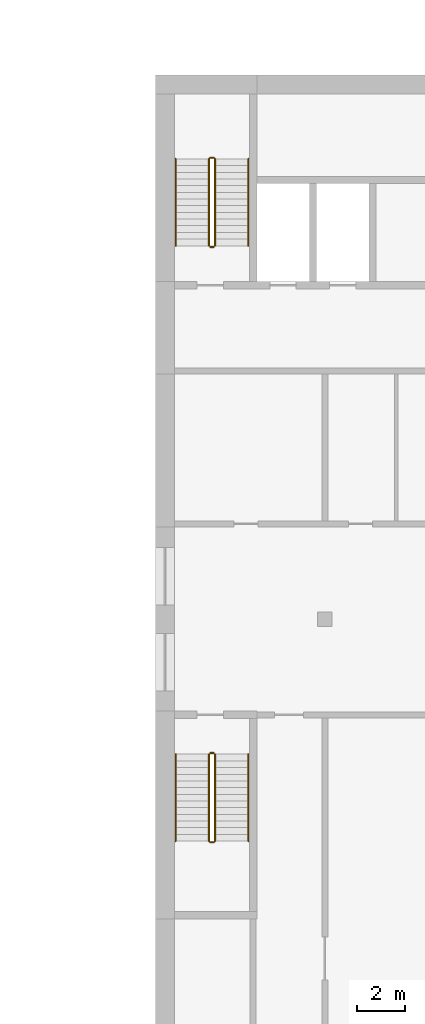
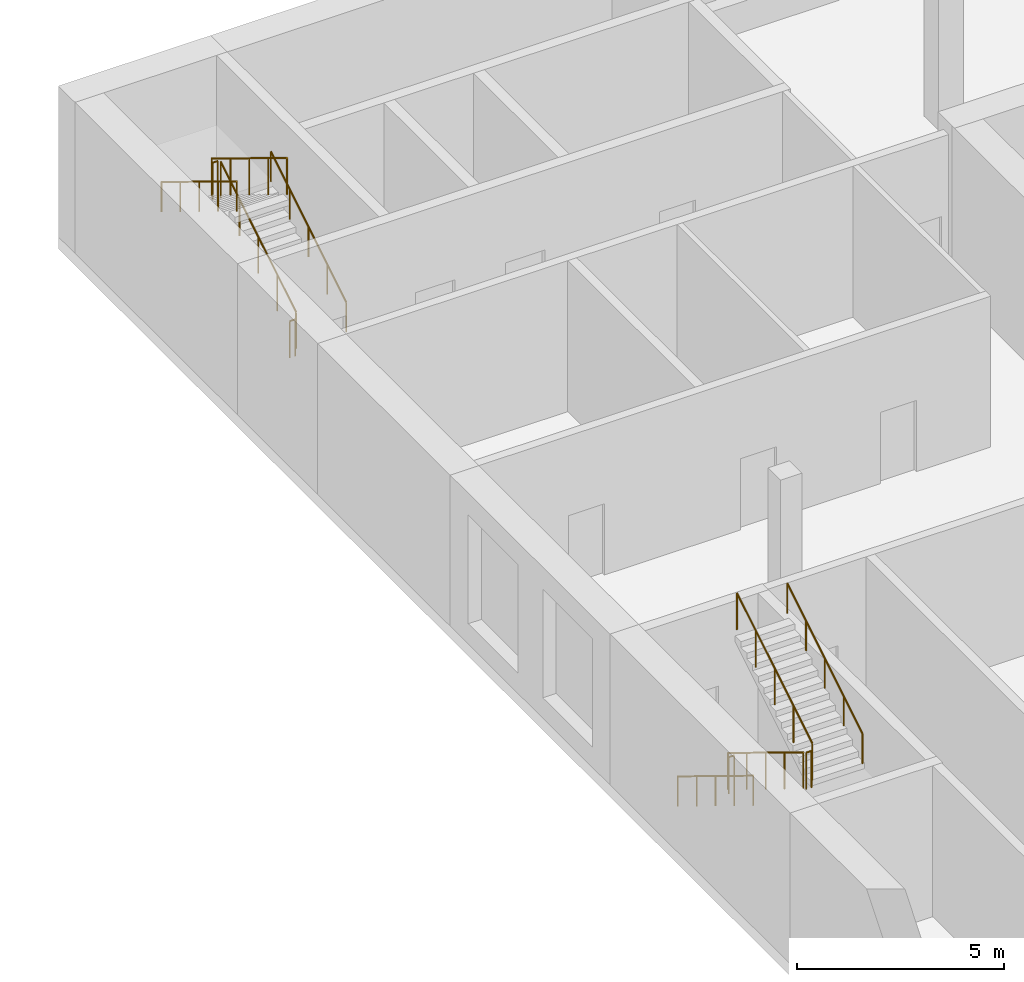
# One storey, part 15 of 23: 12 railings.
"""IFC4 building model written with IfcOpenShell, lengths in metres."""

import ifcopenshell
import ifcopenshell.guid

model = None  # the IFC model being written
_history = None  # IfcOwnerHistory: only IFC2X3 demands one
_inside = {}  # id of a spatial element -> (the spatial element, [elements in it])
_under = {}  # id of a project, library or spatial element -> (it, [spatial elements below it])
_declared = {}  # id of a project -> (the project, [libraries it declares])
_typed = {}  # id of a type object -> (the type object, [elements of that type])
_made_of = {}  # id of a material, layer set ... -> (it, [elements and type objects made of it])


def new_model(schema):
    """Start an empty IFC model of exactly this schema.

    Asked for "IFC4X3", IfcOpenShell would pick the latest addendum, in which some entities
    have other attributes; the version numbers below select the first issue.
    IFC2X3 requires an IfcOwnerHistory on every rooted entity: one is made here for all.
    """
    global model, _history
    if schema == "IFC4X3":
        model = ifcopenshell.file(schema_version=(4, 3, 0, 0))
    else:
        model = ifcopenshell.file(schema=schema)
    _inside.clear()
    _under.clear()
    _declared.clear()
    _typed.clear()
    _made_of.clear()
    _history = None
    if model.schema == "IFC2X3":
        org = make("IfcOrganization", Name="unknown")
        user = make(
            "IfcPersonAndOrganization",
            ThePerson=make("IfcPerson", FamilyName="unknown"),
            TheOrganization=org,
        )
        app = make(
            "IfcApplication",
            ApplicationDeveloper=org,
            Version="unknown",
            ApplicationFullName="unknown",
            ApplicationIdentifier="unknown",
        )
        _history = make(
            "IfcOwnerHistory",
            OwningUser=user,
            OwningApplication=app,
            ChangeAction="ADDED",
            CreationDate=0,
        )
    return model


def make(cls, **values):
    """One entity of the class cls with the attributes given. An attribute that is None is left unset."""
    return model.create_entity(
        cls, **{name: value for name, value in values.items() if value is not None}
    )


def rooted(cls, **values):
    """An entity with a GlobalId (a new one), such as an element, a storey or a relation."""
    return make(cls, GlobalId=ifcopenshell.guid.new(), OwnerHistory=_history, **values)


def si_unit(unit_type, name, prefix=None):
    """IfcSIUnit, for example si_unit("LENGTHUNIT", "METRE", prefix="MILLI")."""
    return make("IfcSIUnit", UnitType=unit_type, Prefix=prefix, Name=name)


def assignment(units):
    """IfcUnitAssignment: the units of a project."""
    return None if units is None else make("IfcUnitAssignment", Units=units)


def point(xyz):
    """IfcCartesianPoint."""
    return None if xyz is None else make("IfcCartesianPoint", Coordinates=xyz)


def direction(xyz):
    """IfcDirection."""
    return None if xyz is None else make("IfcDirection", DirectionRatios=xyz)


def frame(location, z_axis=None, x_axis=None):
    """IfcAxis2Placement3D, a coordinate frame: its origin and axes. An axis left out is left unset."""
    return make(
        "IfcAxis2Placement3D",
        Location=point(location),
        Axis=direction(z_axis),
        RefDirection=direction(x_axis),
    )


def frame_2d(location, x_axis=None):
    """IfcAxis2Placement2D, a coordinate frame in the plane: its origin and x axis."""
    return make(
        "IfcAxis2Placement2D", Location=point(location), RefDirection=direction(x_axis)
    )


def origin():
    """The frame at (0, 0, 0) with its axes left unset."""
    return frame((0.0, 0.0, 0.0))


def origin_2d():
    """The frame at (0, 0) in the plane with its x axis left unset."""
    return frame_2d((0.0, 0.0))


def place(relative_to, where):
    """IfcLocalPlacement: puts the frame where relative to a parent placement (None: the world)."""
    return make(
        "IfcLocalPlacement", PlacementRelTo=relative_to, RelativePlacement=where
    )


def context(
    kind, dimensions, precision=None, world=None, true_north=None, identifier=None
):
    """IfcGeometricRepresentationContext, for example the 3D "Model" context."""
    return make(
        "IfcGeometricRepresentationContext",
        ContextIdentifier=identifier,
        ContextType=kind,
        CoordinateSpaceDimension=dimensions,
        Precision=precision,
        WorldCoordinateSystem=world,
        TrueNorth=true_north,
    )


def subcontext(parent, identifier, kind, view, scale=None):
    """IfcGeometricRepresentationSubContext, for example "Body" below "Model"."""
    return make(
        "IfcGeometricRepresentationSubContext",
        ContextIdentifier=identifier,
        ContextType=kind,
        ParentContext=parent,
        TargetScale=scale,
        TargetView=view,
    )


def project(units=None, contexts=None):
    """IfcProject with its units and contexts."""
    return rooted(
        "IfcProject",
        Name="project",
        RepresentationContexts=contexts,
        UnitsInContext=assignment(units),
    )


def spatial(cls, under=None, at=None, **own):
    """A site, building, storey or space (cls), placed at a placement, below another one or the project."""
    s = rooted(cls, ObjectPlacement=at, **own)
    if under is not None:
        _under.setdefault(under.id(), (under, []))[1].append(s)
    return s


def profile(cls, at=None, kind="AREA", **sizes):
    """A parametric profile (cls). Its sizes go by their IFC names, for example OverallWidth=200.0."""
    return make(cls, ProfileType=kind, Position=at, **sizes)


def circle(**sizes):
    """IfcCircleProfileDef."""
    return profile("IfcCircleProfileDef", **sizes)


def extrude(swept, where, along, depth):
    """IfcExtrudedAreaSolid: the profile swept, set in the frame where, extruded along a direction by depth."""
    return make(
        "IfcExtrudedAreaSolid",
        SweptArea=swept,
        Position=where,
        ExtrudedDirection=direction(along),
        Depth=depth,
    )


def shape(context_of_items, identifier, shape_type, items):
    """IfcShapeRepresentation: the items that make up one representation, for example the "Body"."""
    return make(
        "IfcShapeRepresentation",
        ContextOfItems=context_of_items,
        RepresentationIdentifier=identifier,
        RepresentationType=shape_type,
        Items=items,
    )


def material(Name=None, Category=None):
    """IfcMaterial."""
    return make("IfcMaterial", Name=Name, Category=Category)


def made_of(thing, what):
    """Note that an element or type object is made of a material, layer set ...; save() writes the relation."""
    if what is not None:
        _made_of.setdefault(what.id(), (what, []))[1].append(thing)
    return thing


def type_object(cls, material=None, **own):
    """A type object (cls), such as IfcWallType, which elements share."""
    return made_of(rooted(cls, **own), material)


def element(
    cls,
    number,
    at=None,
    inside=None,
    cuts=None,
    type_object=None,
    material=None,
    context=None,
    identifier="Body",
    shape_type=None,
    held_by="IfcProductDefinitionShape",
    body=None,
    shapes=None,
    **own,
):
    """One element of the class cls, such as IfcWall. Its Tag is "e" and its number.

    at: its placement. inside: the storey or other place that contains it. cuts: it is an
    opening in that element (IfcRelVoidsElement). A single representation is given by context,
    identifier, shape_type and body (its items); several are given by shapes. held_by: the class
    of the entity that holds the representations. save() writes the other relations.
    """
    e = rooted(cls, Tag="e%d" % number, ObjectPlacement=at, **own)
    if body is not None:
        shapes = [shape(context, identifier, shape_type, body)]
    if shapes is not None:
        e.Representation = make(held_by, Representations=shapes)
    if inside is not None:
        _inside.setdefault(inside.id(), (inside, []))[1].append(e)
    if cuts is not None:
        rooted(
            "IfcRelVoidsElement", RelatingBuildingElement=cuts, RelatedOpeningElement=e
        )
    if type_object is not None:
        _typed.setdefault(type_object.id(), (type_object, []))[1].append(e)
    return made_of(e, material)


def aggregate(whole, parts):
    """IfcRelAggregates: a whole, such as a stair, and the parts it consists of."""
    return rooted("IfcRelAggregates", RelatingObject=whole, RelatedObjects=parts)


def save(model, path):
    """Write the relations noted so far, then the file.

    IfcRelAggregates (storeys below a building ...), IfcRelContainedInSpatialStructure (elements
    in a storey), IfcRelDefinesByType, IfcRelAssociatesMaterial and IfcRelDeclares: one each for
    every whole, place, type object, material and project.
    """
    for whole, parts in _under.values():
        aggregate(whole, parts)
    for where, things in _inside.values():
        rooted(
            "IfcRelContainedInSpatialStructure",
            RelatedElements=things,
            RelatingStructure=where,
        )
    for kind, things in _typed.values():
        rooted("IfcRelDefinesByType", RelatedObjects=things, RelatingType=kind)
    for what, things in _made_of.values():
        rooted("IfcRelAssociatesMaterial", RelatedObjects=things, RelatingMaterial=what)
    for by, libraries in _declared.values():
        rooted("IfcRelDeclares", RelatingContext=by, RelatedDefinitions=libraries)
    model.write(path)


model = new_model("IFC4")

# Units and contexts
model_context = context("Model", 3, precision=1e-05, world=origin(), true_north=direction((0.0, 1.0)))
body_context = subcontext(model_context, "Body", "Model", "MODEL_VIEW")
ifc_project = project(units=[si_unit("LENGTHUNIT", "METRE"), si_unit("AREAUNIT", "SQUARE_METRE"), si_unit("VOLUMEUNIT", "CUBIC_METRE"), si_unit("PLANEANGLEUNIT", "RADIAN"), si_unit("MASSUNIT", "GRAM", prefix="KILO")], contexts=[model_context])

# Site, building, storey
site_placement = place(None, origin())
site = spatial("IfcSite", under=ifc_project, at=site_placement, CompositionType="ELEMENT")
building_placement = place(site_placement, origin())
building = spatial("IfcBuilding", under=site, at=building_placement, Name="Kiln Ring Residences", CompositionType="ELEMENT")
storey_placement = place(building_placement, frame((0.0, 0.0, 16.10009765625)))
storey = spatial("IfcBuildingStorey", under=building, at=storey_placement, Name="L03", CompositionType="ELEMENT", Elevation=16.10009765625)

# Railings
ifc_material_1 = material(Name="Stainless steel", Category="steel")
railing_type_1 = type_object("IfcRailingType", Name="Hall stair guard 1100", PredefinedType="GUARDRAIL", material=ifc_material_1)
railing_1_placement = place(storey_placement, frame((-27.5, -119.550048828125, 0.17138671875)))
element("IfcRailing", 1, at=railing_1_placement, inside=storey, type_object=railing_type_1, Name="L03 HALL.ST1 stair guard 1", PredefinedType="GUARDRAIL", context=body_context, shape_type="SweptSolid", body=[
    extrude(circle(Radius=0.02392578125, at=origin_2d()), frame((0.0, 0.0, 1.076171875), z_axis=(0.0, 0.852865859571, 0.52213008492), x_axis=(-1.0, 0.0, 0.0)), (0.0, 0.0, 1.0), 4.26806640625),
    extrude(circle(Radius=0.02099609375, at=origin_2d()), origin(), (0.0, 0.0, 1.0), 1.052001953125),
    extrude(circle(Radius=0.02099609375, at=origin_2d()), frame((0.0, 0.91015625, 0.55712890625)), (0.0, 0.0, 1.0), 1.052001953125),
    extrude(circle(Radius=0.02099609375, at=origin_2d()), frame((0.0, 1.820068359375, 1.1142578125)), (0.0, 0.0, 1.0), 1.052001953125),
    extrude(circle(Radius=0.02099609375, at=origin_2d()), frame((0.0, 2.72998046875, 1.67138671875)), (0.0, 0.0, 1.0), 1.052001953125),
    extrude(circle(Radius=0.02099609375, at=origin_2d()), frame((0.0, 3.64013671875, 2.228515625)), (0.0, 0.0, 1.0), 1.052001953125),
])
railing_2_placement = place(storey_placement, frame((-27.550048828125, -115.860107421875, 2.39990234375)))
element("IfcRailing", 2, at=railing_2_placement, inside=storey, type_object=railing_type_1, Name="L03 HALL.ST1 stair guard 2", PredefinedType="GUARDRAIL", context=body_context, shape_type="SweptSolid", body=[
    extrude(circle(Radius=0.02392578125, at=origin_2d()), frame((0.0, 0.0, 1.076171875), z_axis=(-1.0, 0.0, 0.0), x_axis=(0.0, -1.0, 0.0)), (0.0, 0.0, 1.0), 0.14990234375),
    extrude(circle(Radius=0.02099609375, at=origin_2d()), origin(), (0.0, 0.0, 1.0), 1.052001953125),
    extrude(circle(Radius=0.02099609375, at=origin_2d()), frame((-0.14990234375, 0.0, 0.0)), (0.0, 0.0, 1.0), 1.052001953125),
])
railing_3_placement = place(storey_placement, frame((-27.75, -115.909912109375, 2.5712890625)))
element("IfcRailing", 3, at=railing_3_placement, inside=storey, type_object=railing_type_1, Name="L03 HALL.ST1 stair guard 3", PredefinedType="GUARDRAIL", context=body_context, shape_type="SweptSolid", body=[
    extrude(circle(Radius=0.02392578125, at=origin_2d()), frame((0.0, 0.0, 1.076171875), z_axis=(0.0, -0.852865859571, 0.52213008492), x_axis=(1.0, 0.0, 0.0)), (0.0, 0.0, 1.0), 4.26806640625),
    extrude(circle(Radius=0.02099609375, at=origin_2d()), origin(), (0.0, 0.0, 1.0), 1.052001953125),
    extrude(circle(Radius=0.02099609375, at=origin_2d()), frame((0.0, -0.91015625, 0.55712890625)), (0.0, 0.0, 1.0), 1.052001953125),
    extrude(circle(Radius=0.02099609375, at=origin_2d()), frame((0.0, -1.820068359375, 1.1142578125)), (0.0, 0.0, 1.0), 1.052001953125),
    extrude(circle(Radius=0.02099609375, at=origin_2d()), frame((0.0, -2.72998046875, 1.67138671875)), (0.0, 0.0, 1.0), 1.052001953125),
    extrude(circle(Radius=0.02099609375, at=origin_2d()), frame((0.0, -3.64013671875, 2.228515625)), (0.0, 0.0, 1.0), 1.052001953125),
])
railing_4_placement = place(storey_placement, frame((-27.550048828125, -119.60009765625, 0.0)))
element("IfcRailing", 4, at=railing_4_placement, inside=storey, type_object=railing_type_1, Name="L03 HALL.ST1 stair guard 4", PredefinedType="GUARDRAIL", context=body_context, shape_type="SweptSolid", body=[
    extrude(circle(Radius=0.02392578125, at=origin_2d()), frame((0.0, 0.0, 1.076171875), z_axis=(-1.0, 0.0, 0.0), x_axis=(0.0, -1.0, 0.0)), (0.0, 0.0, 1.0), 0.14990234375),
    extrude(circle(Radius=0.02099609375, at=origin_2d()), origin(), (0.0, 0.0, 1.0), 1.052001953125),
    extrude(circle(Radius=0.02099609375, at=origin_2d()), frame((-0.14990234375, 0.0, 0.0)), (0.0, 0.0, 1.0), 1.052001953125),
])
railing_5_placement = place(storey_placement, frame((-27.75, -140.85009765625, 0.17138671875)))
element("IfcRailing", 5, at=railing_5_placement, inside=storey, type_object=railing_type_1, Name="L03 HALL.ST3 stair guard 1", PredefinedType="GUARDRAIL", context=body_context, shape_type="SweptSolid", body=[
    extrude(circle(Radius=0.02392578125, at=origin_2d()), frame((0.0, 0.0, 1.076171875), z_axis=(0.0, -0.852850264322, 0.5221555579), x_axis=(1.0, 0.0, 0.0)), (0.0, 0.0, 1.0), 4.267822265625),
    extrude(circle(Radius=0.02099609375, at=origin_2d()), origin(), (0.0, 0.0, 1.0), 1.052001953125),
    extrude(circle(Radius=0.02099609375, at=origin_2d()), frame((0.0, -0.909912109375, 0.55712890625)), (0.0, 0.0, 1.0), 1.052001953125),
    extrude(circle(Radius=0.02099609375, at=origin_2d()), frame((0.0, -1.81982421875, 1.1142578125)), (0.0, 0.0, 1.0), 1.052001953125),
    extrude(circle(Radius=0.02099609375, at=origin_2d()), frame((0.0, -2.72998046875, 1.67138671875)), (0.0, 0.0, 1.0), 1.052001953125),
    extrude(circle(Radius=0.02099609375, at=origin_2d()), frame((0.0, -3.639892578125, 2.228515625)), (0.0, 0.0, 1.0), 1.052001953125),
])
railing_6_placement = place(storey_placement, frame((-27.699951171875, -144.5400390625, 2.39990234375)))
element("IfcRailing", 6, at=railing_6_placement, inside=storey, type_object=railing_type_1, Name="L03 HALL.ST3 stair guard 2", PredefinedType="GUARDRAIL", context=body_context, shape_type="SweptSolid", body=[
    extrude(circle(Radius=0.02392578125, at=origin_2d()), frame((0.0, 0.0, 1.076171875), z_axis=(1.0, 0.0, 0.0), x_axis=(0.0, 1.0, 0.0)), (0.0, 0.0, 1.0), 0.14990234375),
    extrude(circle(Radius=0.02099609375, at=origin_2d()), origin(), (0.0, 0.0, 1.0), 1.052001953125),
    extrude(circle(Radius=0.02099609375, at=origin_2d()), frame((0.14990234375, 0.0, 0.0)), (0.0, 0.0, 1.0), 1.052001953125),
])
railing_7_placement = place(storey_placement, frame((-27.5, -144.489990234375, 2.5712890625)))
element("IfcRailing", 7, at=railing_7_placement, inside=storey, type_object=railing_type_1, Name="L03 HALL.ST3 stair guard 3", PredefinedType="GUARDRAIL", context=body_context, shape_type="SweptSolid", body=[
    extrude(circle(Radius=0.02392578125, at=origin_2d()), frame((0.0, 0.0, 1.076171875), z_axis=(0.0, 0.852850264322, 0.5221555579), x_axis=(-1.0, 0.0, 0.0)), (0.0, 0.0, 1.0), 4.267822265625),
    extrude(circle(Radius=0.02099609375, at=origin_2d()), origin(), (0.0, 0.0, 1.0), 1.052001953125),
    extrude(circle(Radius=0.02099609375, at=origin_2d()), frame((0.0, 0.909912109375, 0.55712890625)), (0.0, 0.0, 1.0), 1.052001953125),
    extrude(circle(Radius=0.02099609375, at=origin_2d()), frame((0.0, 1.81982421875, 1.1142578125)), (0.0, 0.0, 1.0), 1.052001953125),
    extrude(circle(Radius=0.02099609375, at=origin_2d()), frame((0.0, 2.72998046875, 1.67138671875)), (0.0, 0.0, 1.0), 1.052001953125),
    extrude(circle(Radius=0.02099609375, at=origin_2d()), frame((0.0, 3.639892578125, 2.228515625)), (0.0, 0.0, 1.0), 1.052001953125),
])
railing_8_placement = place(storey_placement, frame((-27.699951171875, -140.800048828125, 0.0)))
element("IfcRailing", 8, at=railing_8_placement, inside=storey, type_object=railing_type_1, Name="L03 HALL.ST3 stair guard 4", PredefinedType="GUARDRAIL", context=body_context, shape_type="SweptSolid", body=[
    extrude(circle(Radius=0.02392578125, at=origin_2d()), frame((0.0, 0.0, 1.076171875), z_axis=(1.0, 0.0, 0.0), x_axis=(0.0, 1.0, 0.0)), (0.0, 0.0, 1.0), 0.14990234375),
    extrude(circle(Radius=0.02099609375, at=origin_2d()), origin(), (0.0, 0.0, 1.0), 1.052001953125),
    extrude(circle(Radius=0.02099609375, at=origin_2d()), frame((0.14990234375, 0.0, 0.0)), (0.0, 0.0, 1.0), 1.052001953125),
])
ifc_material_2 = material(Name="Stainless steel", Category="steel")
railing_type_2 = type_object("IfcRailingType", Name="Hall stair handrail 900", PredefinedType="HANDRAIL", material=ifc_material_2)
railing_9_placement = place(storey_placement, frame((-26.10009765625, -119.550048828125, 0.17138671875)))
element("IfcRailing", 9, at=railing_9_placement, inside=storey, type_object=railing_type_2, Name="L03 HALL.ST1 stair handrail 1", PredefinedType="HANDRAIL", context=body_context, shape_type="SweptSolid", body=[
    extrude(circle(Radius=0.02392578125, at=origin_2d()), frame((0.0, 0.0, 0.8759765625), z_axis=(0.0, 0.852865859571, 0.52213008492), x_axis=(-1.0, 0.0, 0.0)), (0.0, 0.0, 1.0), 4.26806640625),
    extrude(circle(Radius=0.02099609375, at=origin_2d()), origin(), (0.0, 0.0, 1.0), 0.851806640625),
    extrude(circle(Radius=0.02099609375, at=origin_2d()), frame((0.0, 0.91015625, 0.55712890625)), (0.0, 0.0, 1.0), 0.851806640625),
    extrude(circle(Radius=0.02099609375, at=origin_2d()), frame((0.0, 1.820068359375, 1.1142578125)), (0.0, 0.0, 1.0), 0.851806640625),
    extrude(circle(Radius=0.02099609375, at=origin_2d()), frame((0.0, 2.72998046875, 1.67138671875)), (0.0, 0.0, 1.0), 0.851806640625),
    extrude(circle(Radius=0.02099609375, at=origin_2d()), frame((0.0, 3.64013671875, 2.228515625)), (0.0, 0.0, 1.0), 0.851806640625),
])
railing_10_placement = place(storey_placement, frame((-29.14990234375, -115.909912109375, 2.5712890625)))
element("IfcRailing", 10, at=railing_10_placement, inside=storey, type_object=railing_type_2, Name="L03 HALL.ST1 stair handrail 2", PredefinedType="HANDRAIL", context=body_context, shape_type="SweptSolid", body=[
    extrude(circle(Radius=0.02392578125, at=origin_2d()), frame((0.0, 0.0, 0.8759765625), z_axis=(0.0, -0.852865859571, 0.52213008492), x_axis=(1.0, 0.0, 0.0)), (0.0, 0.0, 1.0), 4.26806640625),
    extrude(circle(Radius=0.02099609375, at=origin_2d()), origin(), (0.0, 0.0, 1.0), 0.851806640625),
    extrude(circle(Radius=0.02099609375, at=origin_2d()), frame((0.0, -0.91015625, 0.55712890625)), (0.0, 0.0, 1.0), 0.851806640625),
    extrude(circle(Radius=0.02099609375, at=origin_2d()), frame((0.0, -1.820068359375, 1.1142578125)), (0.0, 0.0, 1.0), 0.851806640625),
    extrude(circle(Radius=0.02099609375, at=origin_2d()), frame((0.0, -2.72998046875, 1.67138671875)), (0.0, 0.0, 1.0), 0.851806640625),
    extrude(circle(Radius=0.02099609375, at=origin_2d()), frame((0.0, -3.64013671875, 2.228515625)), (0.0, 0.0, 1.0), 0.851806640625),
])
railing_11_placement = place(storey_placement, frame((-29.14990234375, -140.85009765625, 0.17138671875)))
element("IfcRailing", 11, at=railing_11_placement, inside=storey, type_object=railing_type_2, Name="L03 HALL.ST3 stair handrail 1", PredefinedType="HANDRAIL", context=body_context, shape_type="SweptSolid", body=[
    extrude(circle(Radius=0.02392578125, at=origin_2d()), frame((0.0, 0.0, 0.8759765625), z_axis=(0.0, -0.852850264322, 0.5221555579), x_axis=(1.0, 0.0, 0.0)), (0.0, 0.0, 1.0), 4.267822265625),
    extrude(circle(Radius=0.02099609375, at=origin_2d()), origin(), (0.0, 0.0, 1.0), 0.851806640625),
    extrude(circle(Radius=0.02099609375, at=origin_2d()), frame((0.0, -0.909912109375, 0.55712890625)), (0.0, 0.0, 1.0), 0.851806640625),
    extrude(circle(Radius=0.02099609375, at=origin_2d()), frame((0.0, -1.81982421875, 1.1142578125)), (0.0, 0.0, 1.0), 0.851806640625),
    extrude(circle(Radius=0.02099609375, at=origin_2d()), frame((0.0, -2.72998046875, 1.67138671875)), (0.0, 0.0, 1.0), 0.851806640625),
    extrude(circle(Radius=0.02099609375, at=origin_2d()), frame((0.0, -3.639892578125, 2.228515625)), (0.0, 0.0, 1.0), 0.851806640625),
])
railing_12_placement = place(storey_placement, frame((-26.10009765625, -144.489990234375, 2.5712890625)))
element("IfcRailing", 12, at=railing_12_placement, inside=storey, type_object=railing_type_2, Name="L03 HALL.ST3 stair handrail 2", PredefinedType="HANDRAIL", context=body_context, shape_type="SweptSolid", body=[
    extrude(circle(Radius=0.02392578125, at=origin_2d()), frame((0.0, 0.0, 0.8759765625), z_axis=(0.0, 0.852850264322, 0.5221555579), x_axis=(-1.0, 0.0, 0.0)), (0.0, 0.0, 1.0), 4.267822265625),
    extrude(circle(Radius=0.02099609375, at=origin_2d()), origin(), (0.0, 0.0, 1.0), 0.851806640625),
    extrude(circle(Radius=0.02099609375, at=origin_2d()), frame((0.0, 0.909912109375, 0.55712890625)), (0.0, 0.0, 1.0), 0.851806640625),
    extrude(circle(Radius=0.02099609375, at=origin_2d()), frame((0.0, 1.81982421875, 1.1142578125)), (0.0, 0.0, 1.0), 0.851806640625),
    extrude(circle(Radius=0.02099609375, at=origin_2d()), frame((0.0, 2.72998046875, 1.67138671875)), (0.0, 0.0, 1.0), 0.851806640625),
    extrude(circle(Radius=0.02099609375, at=origin_2d()), frame((0.0, 3.639892578125, 2.228515625)), (0.0, 0.0, 1.0), 0.851806640625),
])

save(model, "model.ifc")
